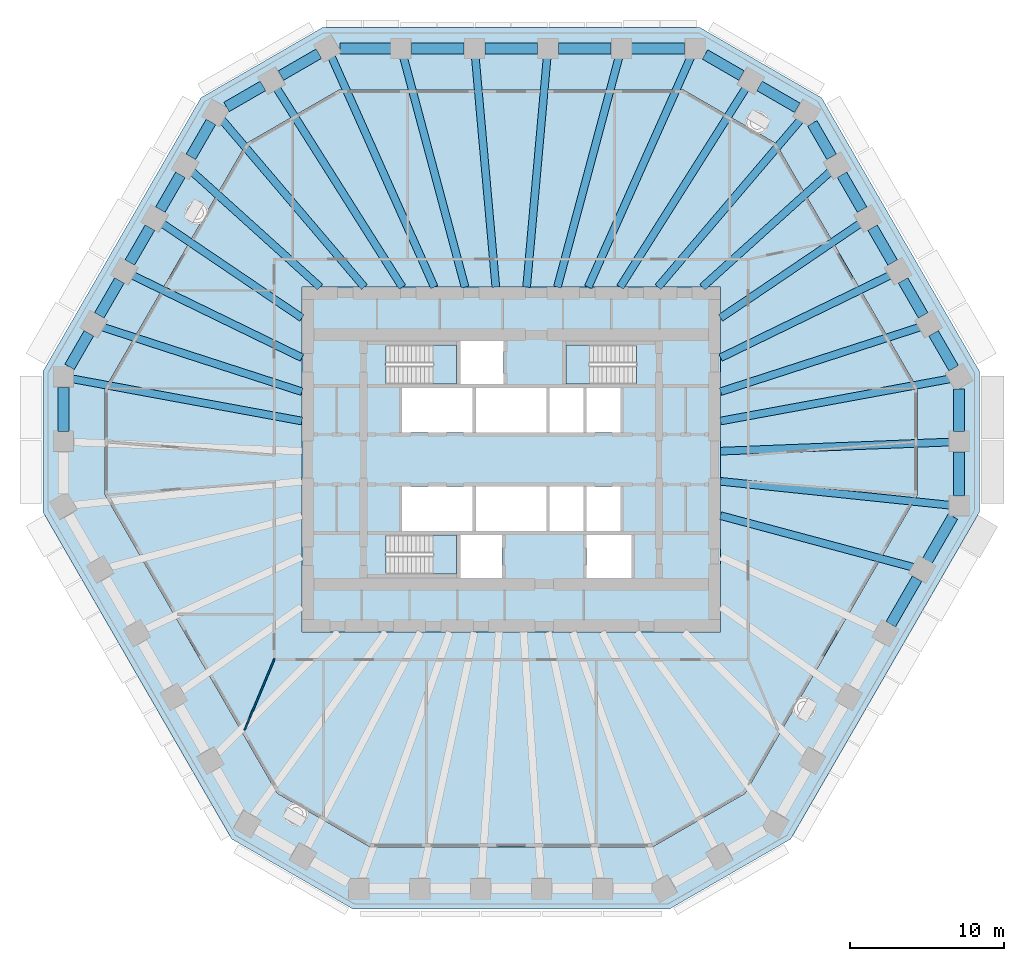
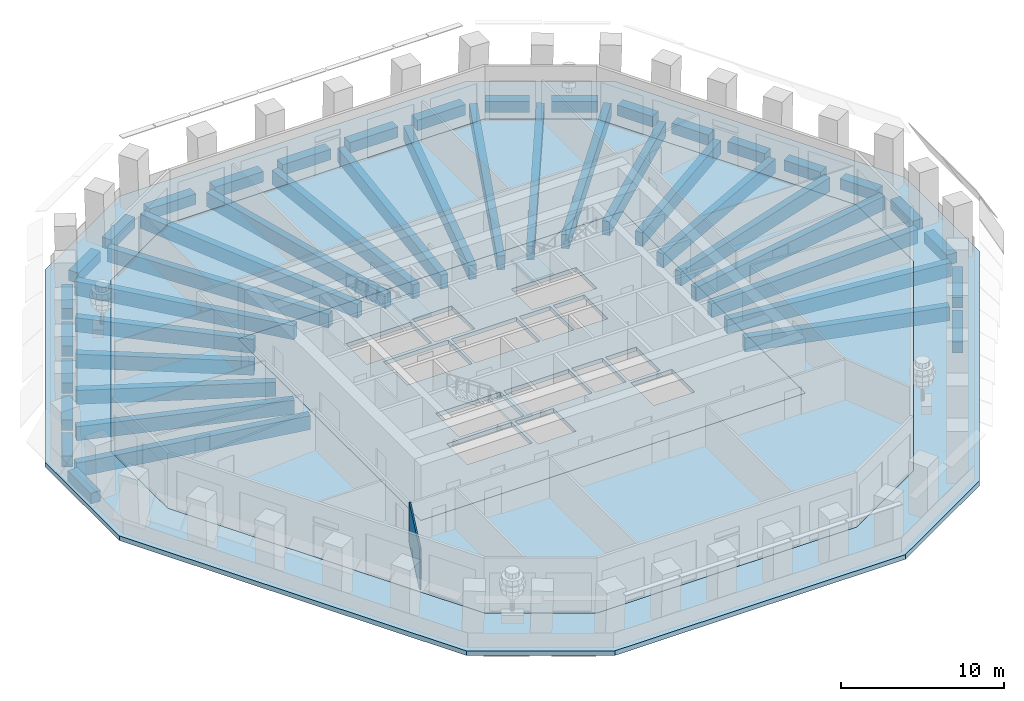
# One storey, part 2 of 13: 47 beams, 6 slabs, 1 wall, 3 elements without a shape of their own.
"""IFC4 building model written with IfcOpenShell, lengths in metres."""

from ifc_helpers import new_model, si_unit, direction, frame, frame_2d, origin, origin_2d, place, context, subcontext, project, spatial, polyline, rectangle, outline, extrude, material, layer, layer_set, material_profile, profile_set, type_object, element, aggregate, save


model = new_model("IFC4")

# Units and contexts
model_context = context("Model", 3, precision=1e-05, world=origin(), true_north=direction((0.0, 1.0)))
body_context = subcontext(model_context, "Body", "Model", "MODEL_VIEW")
ifc_project = project(units=[si_unit("LENGTHUNIT", "METRE"), si_unit("AREAUNIT", "SQUARE_METRE"), si_unit("VOLUMEUNIT", "CUBIC_METRE"), si_unit("PLANEANGLEUNIT", "RADIAN"), si_unit("MASSUNIT", "GRAM", prefix="KILO")], contexts=[model_context])

# Site, building, storey
site_placement = place(None, origin())
site = spatial("IfcSite", under=ifc_project, at=site_placement, CompositionType="ELEMENT")
building_placement = place(site_placement, origin())
building = spatial("IfcBuilding", under=site, at=building_placement, Name="Frailejon Research Tower", CompositionType="ELEMENT")
storey_placement = place(building_placement, frame((0.0, 0.0, 117.60009765625)))
storey = spatial("IfcBuildingStorey", under=building, at=storey_placement, Name="L25", CompositionType="ELEMENT", Elevation=117.60009765625)

# Beams
ifc_material_1 = material(Name="Concrete C60/75", Category="concrete")
ifc_material_profile_1 = material_profile(ifc_material_1, rectangle(XDim=0.5, YDim=1.050048828125, at=origin_2d()), Name="Girder 500x1050")
ifc_profile_set_1 = profile_set([ifc_material_profile_1], Name="Concrete C60/75")
beam_type_1 = type_object("IfcBeamType", Name="Girder 500x1050", PredefinedType="BEAM", material=ifc_profile_set_1)
beam_1_placement = place(storey_placement, frame((28.5546875, -2.976318359375, -0.8251953125), z_axis=(-0.994611085943, 0.103676360462, 0.0), x_axis=(-0.103676360462, -0.994611085943, 0.0)))
element("IfcBeam", 1, at=beam_1_placement, inside=storey, type_object=beam_type_1, Name="Girder 500x1050", PredefinedType="BEAM", context=body_context, shape_type="SweptSolid", body=[
    extrude(rectangle(XDim=0.5, YDim=1.050048828125, at=origin_2d()), origin(), (0.0, 0.0, 1.0), 15.03564453125),
])
beam_2_placement = place(storey_placement, frame((28.555419921875, 1.135498046875, -0.8251953125), z_axis=(-0.99921088157, -0.039719191221, 0.0), x_axis=(0.039719191221, -0.99921088157, 0.0)))
element("IfcBeam", 2, at=beam_2_placement, inside=storey, type_object=beam_type_1, Name="Girder 500x1050", PredefinedType="BEAM", context=body_context, shape_type="SweptSolid", body=[
    extrude(rectangle(XDim=0.5, YDim=1.050048828125, at=origin_2d()), origin(), (0.0, 0.0, 1.0), 14.967041015625),
])
beam_3_placement = place(storey_placement, frame((28.5234375, 5.24169921875, -0.8251953125), z_axis=(-0.983530650526, -0.180741416048, 0.0), x_axis=(0.180741416048, -0.983530650526, 0.0)))
element("IfcBeam", 3, at=beam_3_placement, inside=storey, type_object=beam_type_1, Name="Girder 500x1050", PredefinedType="BEAM", context=body_context, shape_type="SweptSolid", body=[
    extrude(rectangle(XDim=0.5, YDim=1.050048828125, at=origin_2d()), origin(), (0.0, 0.0, 1.0), 15.17333984375),
])
beam_4_placement = place(storey_placement, frame((26.584228515625, 8.611083984375, -0.8251953125), z_axis=(-0.951341072697, -0.308139843903, 0.0), x_axis=(0.308139843903, -0.951341072697, 0.0)))
element("IfcBeam", 4, at=beam_4_placement, inside=storey, type_object=beam_type_1, Name="Girder 500x1050", PredefinedType="BEAM", context=body_context, shape_type="SweptSolid", body=[
    extrude(rectangle(XDim=0.5, YDim=1.050048828125, at=origin_2d()), origin(), (0.0, 0.0, 1.0), 13.648193359375),
])
beam_5_placement = place(storey_placement, frame((24.641845703125, 11.981201171875, -0.8251953125), z_axis=(-0.899323652784, -0.437283623685, 0.0), x_axis=(0.437283623685, -0.899323652784, 0.0)))
element("IfcBeam", 5, at=beam_5_placement, inside=storey, type_object=beam_type_1, Name="Girder 500x1050", PredefinedType="BEAM", context=body_context, shape_type="SweptSolid", body=[
    extrude(rectangle(XDim=0.5, YDim=1.050048828125, at=origin_2d()), origin(), (0.0, 0.0, 1.0), 12.27783203125),
])
beam_6_placement = place(storey_placement, frame((22.697021484375, 15.35009765625, -0.8251953125), z_axis=(-0.828345008124, -0.560218303446, 0.0), x_axis=(0.560218303446, -0.828345008124, 0.0)))
element("IfcBeam", 6, at=beam_6_placement, inside=storey, type_object=beam_type_1, Name="Girder 500x1050", PredefinedType="BEAM", context=body_context, shape_type="SweptSolid", body=[
    extrude(rectangle(XDim=0.5, YDim=1.050048828125, at=origin_2d()), origin(), (0.0, 0.0, 1.0), 10.98193359375),
])
beam_7_placement = place(storey_placement, frame((20.749755859375, 18.717041015625, -0.8251953125), z_axis=(-0.742542993103, -0.66979840504, 0.0), x_axis=(0.66979840504, -0.742542993103, 0.0)))
element("IfcBeam", 7, at=beam_7_placement, inside=storey, type_object=beam_type_1, Name="Girder 500x1050", PredefinedType="BEAM", context=body_context, shape_type="SweptSolid", body=[
    extrude(rectangle(XDim=0.5, YDim=1.050048828125, at=origin_2d()), origin(), (0.0, 0.0, 1.0), 11.222900390625),
])
beam_8_placement = place(storey_placement, frame((18.820556640625, 22.10400390625, -0.8251953125), z_axis=(-0.648286055378, -0.76139686787, 0.0), x_axis=(0.76139686787, -0.648286055378, 0.0)))
element("IfcBeam", 8, at=beam_8_placement, inside=storey, type_object=beam_type_1, Name="Girder 500x1050", PredefinedType="BEAM", context=body_context, shape_type="SweptSolid", body=[
    extrude(rectangle(XDim=0.5, YDim=1.050048828125, at=origin_2d()), origin(), (0.0, 0.0, 1.0), 14.321044921875),
])
beam_9_placement = place(storey_placement, frame((15.26123046875, 24.161865234375, -0.8251953125), z_axis=(-0.534018155296, -0.845473009512, 0.0), x_axis=(0.845473009512, -0.534018155296, 0.0)))
element("IfcBeam", 9, at=beam_9_placement, inside=storey, type_object=beam_type_1, Name="Girder 500x1050", PredefinedType="BEAM", context=body_context, shape_type="SweptSolid", body=[
    extrude(rectangle(XDim=0.5, YDim=1.050048828125, at=origin_2d()), origin(), (0.0, 0.0, 1.0), 15.3310546875),
])
beam_10_placement = place(storey_placement, frame((11.67529296875, 26.162109375, -0.8251953125), z_axis=(-0.407521931135, -0.913195420293, 0.0), x_axis=(0.913195420293, -0.407521931135, 0.0)))
element("IfcBeam", 10, at=beam_10_placement, inside=storey, type_object=beam_type_1, Name="Girder 500x1050", PredefinedType="BEAM", context=body_context, shape_type="SweptSolid", body=[
    extrude(rectangle(XDim=0.5, YDim=1.050048828125, at=origin_2d()), origin(), (0.0, 0.0, 1.0), 16.38427734375),
])
beam_11_placement = place(storey_placement, frame((7.00732421875, 26.169921875, -0.8251953125), z_axis=(-0.258659701791, -0.965968508115, 0.0), x_axis=(0.965968508115, -0.258659701791, 0.0)))
element("IfcBeam", 11, at=beam_11_placement, inside=storey, type_object=beam_type_1, Name="Girder 500x1050", PredefinedType="BEAM", context=body_context, shape_type="SweptSolid", body=[
    extrude(rectangle(XDim=0.5, YDim=1.050048828125, at=origin_2d()), origin(), (0.0, 0.0, 1.0), 15.497314453125),
])
for number, where, z_axis, x_axis, name in (
    (12, (2.336181640625, 26.17431640625, -0.8251953125), (-0.088894249858, -0.996041069606, 0.0), (0.996041069606, -0.088894249858, 0.0), "Girder 500x1050"),
    (13, (-2.336181640625, 26.17431640625, -0.8251953125), (0.088894249858, -0.996041069606, 0.0), (0.996041069606, 0.088894249858, 0.0), "Girder 500x1050"),
):
    element("IfcBeam", number, at=place(storey_placement, frame(where, z_axis=z_axis, x_axis=x_axis)), inside=storey, type_object=beam_type_1, Name=name, PredefinedType="BEAM", context=body_context, shape_type="SweptSolid", body=[
        extrude(rectangle(XDim=0.5, YDim=1.050048828125, at=origin_2d()), origin(), (0.0, 0.0, 1.0), 15.033935546875),
    ])
beam_12_placement = place(storey_placement, frame((-7.00732421875, 26.169921875, -0.8251953125), z_axis=(0.258659701791, -0.965968508115, 0.0), x_axis=(0.965968508115, 0.258659701791, 0.0)))
element("IfcBeam", 14, at=beam_12_placement, inside=storey, type_object=beam_type_1, Name="Girder 500x1050", PredefinedType="BEAM", context=body_context, shape_type="SweptSolid", body=[
    extrude(rectangle(XDim=0.5, YDim=1.050048828125, at=origin_2d()), origin(), (0.0, 0.0, 1.0), 15.497314453125),
])
beam_13_placement = place(storey_placement, frame((-11.699951171875, 26.21728515625, -0.8251953125), z_axis=(0.40752373129, -0.913194616955, 0.0), x_axis=(0.913194616955, 0.40752373129, 0.0)))
element("IfcBeam", 15, at=beam_13_placement, inside=storey, type_object=beam_type_1, Name="Girder 500x1050", PredefinedType="BEAM", context=body_context, shape_type="SweptSolid", body=[
    extrude(rectangle(XDim=0.5, YDim=1.050048828125, at=origin_2d()), origin(), (0.0, 0.0, 1.0), 16.44482421875),
])
beam_14_placement = place(storey_placement, frame((-15.26123046875, 24.161865234375, -0.8251953125), z_axis=(0.534018155296, -0.845473009512, 0.0), x_axis=(0.845473009512, 0.534018155296, 0.0)))
element("IfcBeam", 16, at=beam_14_placement, inside=storey, type_object=beam_type_1, Name="Girder 500x1050", PredefinedType="BEAM", context=body_context, shape_type="SweptSolid", body=[
    extrude(rectangle(XDim=0.5, YDim=1.050048828125, at=origin_2d()), origin(), (0.0, 0.0, 1.0), 15.3310546875),
])
beam_15_placement = place(storey_placement, frame((-18.801025390625, 22.0810546875, -0.8251953125), z_axis=(0.648286408395, -0.761396567296, 0.0), x_axis=(0.761396567296, 0.648286408395, 0.0)))
element("IfcBeam", 17, at=beam_15_placement, inside=storey, type_object=beam_type_1, Name="Girder 500x1050", PredefinedType="BEAM", context=body_context, shape_type="SweptSolid", body=[
    extrude(rectangle(XDim=0.5, YDim=1.050048828125, at=origin_2d()), origin(), (0.0, 0.0, 1.0), 14.291015625),
])
beam_16_placement = place(storey_placement, frame((-20.749755859375, 18.717041015625, -0.8251953125), z_axis=(0.742542993103, -0.66979840504, 0.0), x_axis=(0.66979840504, 0.742542993103, 0.0)))
element("IfcBeam", 18, at=beam_16_placement, inside=storey, type_object=beam_type_1, Name="Girder 500x1050", PredefinedType="BEAM", context=body_context, shape_type="SweptSolid", body=[
    extrude(rectangle(XDim=0.5, YDim=1.050048828125, at=origin_2d()), origin(), (0.0, 0.0, 1.0), 11.222900390625),
])
beam_17_placement = place(storey_placement, frame((-22.697021484375, 15.35009765625, -0.8251953125), z_axis=(0.828345008124, -0.560218303446, 0.0), x_axis=(0.560218303446, 0.828345008124, 0.0)))
element("IfcBeam", 19, at=beam_17_placement, inside=storey, type_object=beam_type_1, Name="Girder 500x1050", PredefinedType="BEAM", context=body_context, shape_type="SweptSolid", body=[
    extrude(rectangle(XDim=0.5, YDim=1.050048828125, at=origin_2d()), origin(), (0.0, 0.0, 1.0), 10.98193359375),
])
beam_18_placement = place(storey_placement, frame((-24.641845703125, 11.981201171875, -0.8251953125), z_axis=(0.899323652784, -0.437283623685, 0.0), x_axis=(0.437283623685, 0.899323652784, 0.0)))
element("IfcBeam", 20, at=beam_18_placement, inside=storey, type_object=beam_type_1, Name="Girder 500x1050", PredefinedType="BEAM", context=body_context, shape_type="SweptSolid", body=[
    extrude(rectangle(XDim=0.5, YDim=1.050048828125, at=origin_2d()), origin(), (0.0, 0.0, 1.0), 12.27783203125),
])
beam_19_placement = place(storey_placement, frame((-26.584228515625, 8.611083984375, -0.8251953125), z_axis=(0.951341072697, -0.308139843903, 0.0), x_axis=(0.308139843903, 0.951341072697, 0.0)))
element("IfcBeam", 21, at=beam_19_placement, inside=storey, type_object=beam_type_1, Name="Girder 500x1050", PredefinedType="BEAM", context=body_context, shape_type="SweptSolid", body=[
    extrude(rectangle(XDim=0.5, YDim=1.050048828125, at=origin_2d()), origin(), (0.0, 0.0, 1.0), 13.648193359375),
])
beam_20_placement = place(storey_placement, frame((-28.552978515625, 5.247314453125, -0.8251953125), z_axis=(0.983528469307, -0.180753285067, 0.0), x_axis=(0.180753285067, 0.983528469307, 0.0)))
element("IfcBeam", 22, at=beam_20_placement, inside=storey, type_object=beam_type_1, Name="Girder 500x1050", PredefinedType="BEAM", context=body_context, shape_type="SweptSolid", body=[
    extrude(rectangle(XDim=0.5, YDim=1.050048828125, at=origin_2d()), origin(), (0.0, 0.0, 1.0), 15.203369140625),
])
beam_21_placement = place(storey_placement, frame((26.16748046875, -7.0166015625, -0.8251953125), z_axis=(-0.965878678888, 0.258994937538, 0.0), x_axis=(-0.258994937538, -0.965878678888, 0.0)))
element("IfcBeam", 23, at=beam_21_placement, inside=storey, type_object=beam_type_1, Name="Girder 500x1050", PredefinedType="BEAM", context=body_context, shape_type="SweptSolid", body=[
    extrude(rectangle(XDim=0.5, YDim=1.050048828125, at=origin_2d()), origin(), (0.0, 0.0, 1.0), 13.01123046875),
])
ifc_material_2 = material(Name="Concrete C60/75", Category="concrete")
ifc_material_profile_2 = material_profile(ifc_material_2, rectangle(XDim=0.699951171875, YDim=0.800048828125, at=origin_2d()), Name="Spandrel 700x800")
ifc_profile_set_2 = profile_set([ifc_material_profile_2], Name="Concrete C60/75")
beam_type_2 = type_object("IfcBeamType", Name="Spandrel 700x800", PredefinedType="BEAM", material=ifc_profile_set_2)
beam_22_placement = place(storey_placement, frame((29.08056640625, -2.356201171875, -0.75), z_axis=(0.0, 1.0, 0.0), x_axis=(-1.0, 0.0, 0.0)))
element("IfcBeam", 24, at=beam_22_placement, inside=storey, type_object=beam_type_2, Name="Spandrel 700x800", PredefinedType="BEAM", context=body_context, shape_type="SweptSolid", body=[
    extrude(rectangle(XDim=0.699951171875, YDim=0.800048828125, at=origin_2d()), origin(), (0.0, 0.0, 1.0), 2.837646484375),
])
beam_23_placement = place(storey_placement, frame((29.08056640625, 1.83154296875, -0.75), z_axis=(0.0, 1.0, 0.0), x_axis=(-1.0, 0.0, 0.0)))
element("IfcBeam", 25, at=beam_23_placement, inside=storey, type_object=beam_type_2, Name="Spandrel 700x800", PredefinedType="BEAM", context=body_context, shape_type="SweptSolid", body=[
    extrude(rectangle(XDim=0.699951171875, YDim=0.800048828125, at=origin_2d()), origin(), (0.0, 0.0, 1.0), 2.733154296875),
])
for number, where, z_axis, x_axis, name in (
    (26, (28.742919921875, 5.9287109375, -0.75), (-0.500005339912, 0.866022320763, 0.0), (-0.866022320763, -0.500005339912, 0.0), "Spandrel 700x800"),
    (27, (26.760498046875, 9.3623046875, -0.75), (-0.500005339912, 0.866022320763, 0.0), (-0.866022320763, -0.500005339912, 0.0), "Spandrel 700x800"),
):
    element("IfcBeam", number, at=place(storey_placement, frame(where, z_axis=z_axis, x_axis=x_axis)), inside=storey, type_object=beam_type_2, Name=name, PredefinedType="BEAM", context=body_context, shape_type="SweptSolid", body=[
        extrude(rectangle(XDim=0.699951171875, YDim=0.800048828125, at=origin_2d()), origin(), (0.0, 0.0, 1.0), 2.61474609375),
    ])
beam_24_placement = place(storey_placement, frame((24.778076171875, 12.7958984375, -0.75), z_axis=(-0.499964911226, 0.86604566135, 0.0), x_axis=(-0.86604566135, -0.499964911226, 0.0)))
element("IfcBeam", 28, at=beam_24_placement, inside=storey, type_object=beam_type_2, Name="Spandrel 700x800", PredefinedType="BEAM", context=body_context, shape_type="SweptSolid", body=[
    extrude(rectangle(XDim=0.699951171875, YDim=0.800048828125, at=origin_2d()), origin(), (0.0, 0.0, 1.0), 2.614990234375),
])
beam_25_placement = place(storey_placement, frame((22.795654296875, 16.229736328125, -0.75), z_axis=(-0.500005339912, 0.866022320763, 0.0), x_axis=(-0.866022320763, -0.500005339912, 0.0)))
element("IfcBeam", 29, at=beam_25_placement, inside=storey, type_object=beam_type_2, Name="Spandrel 700x800", PredefinedType="BEAM", context=body_context, shape_type="SweptSolid", body=[
    extrude(rectangle(XDim=0.699951171875, YDim=0.800048828125, at=origin_2d()), origin(), (0.0, 0.0, 1.0), 2.61474609375),
])
beam_26_placement = place(storey_placement, frame((20.813232421875, 19.663330078125, -0.75), z_axis=(-0.499977815414, 0.866038211682, 0.0), x_axis=(-0.866038211682, -0.499977815414, 0.0)))
element("IfcBeam", 30, at=beam_26_placement, inside=storey, type_object=beam_type_2, Name="Spandrel 700x800", PredefinedType="BEAM", context=body_context, shape_type="SweptSolid", body=[
    extrude(rectangle(XDim=0.699951171875, YDim=0.800048828125, at=origin_2d()), origin(), (0.0, 0.0, 1.0), 2.51025390625),
])
beam_27_placement = place(storey_placement, frame((18.583740234375, 22.849853515625, -0.75), z_axis=(-0.865989280058, 0.500062562911, 0.0), x_axis=(-0.500062562911, -0.865989280058, 0.0)))
element("IfcBeam", 31, at=beam_27_placement, inside=storey, type_object=beam_type_2, Name="Spandrel 700x800", PredefinedType="BEAM", context=body_context, shape_type="SweptSolid", body=[
    extrude(rectangle(XDim=0.699951171875, YDim=0.800048828125, at=origin_2d()), origin(), (0.0, 0.0, 1.0), 2.837646484375),
])
beam_28_placement = place(storey_placement, frame((14.957275390625, 24.943603515625, -0.75), z_axis=(-0.866002615699, 0.500039468044, 0.0), x_axis=(-0.500039468044, -0.866002615699, 0.0)))
element("IfcBeam", 32, at=beam_28_placement, inside=storey, type_object=beam_type_2, Name="Spandrel 700x800", PredefinedType="BEAM", context=body_context, shape_type="SweptSolid", body=[
    extrude(rectangle(XDim=0.699951171875, YDim=0.800048828125, at=origin_2d()), origin(), (0.0, 0.0, 1.0), 2.733154296875),
])
for number, where, z_axis, x_axis, name in (
    (33, (11.240234375, 26.699951171875, -0.75), (-1.0, 0.0, 0.0), (0.0, -1.0, 0.0), "Spandrel 700x800"),
    (34, (6.47412109375, 26.699951171875, -0.75), (-1.0, 0.0, 0.0), (0.0, -1.0, 0.0), "Spandrel 700x800"),
    (35, (1.7080078125, 26.699951171875, -0.75), (-1.0, 0.0, 0.0), (0.0, -1.0, 0.0), "Spandrel 700x800"),
    (36, (-3.05810546875, 26.699951171875, -0.75), (-1.0, 0.0, 0.0), (0.0, -1.0, 0.0), "Spandrel 700x800"),
):
    element("IfcBeam", number, at=place(storey_placement, frame(where, z_axis=z_axis, x_axis=x_axis)), inside=storey, type_object=beam_type_2, Name=name, PredefinedType="BEAM", context=body_context, shape_type="SweptSolid", body=[
        extrude(rectangle(XDim=0.699951171875, YDim=0.800048828125, at=origin_2d()), origin(), (0.0, 0.0, 1.0), 3.416015625),
    ])
beam_29_placement = place(storey_placement, frame((-7.82421875, 26.699951171875, -0.75), z_axis=(-1.0, 0.0, 0.0), x_axis=(0.0, -1.0, 0.0)))
element("IfcBeam", 37, at=beam_29_placement, inside=storey, type_object=beam_type_2, Name="Spandrel 700x800", PredefinedType="BEAM", context=body_context, shape_type="SweptSolid", body=[
    extrude(rectangle(XDim=0.699951171875, YDim=0.800048828125, at=origin_2d()), origin(), (0.0, 0.0, 1.0), 3.311767578125),
])
beam_30_placement = place(storey_placement, frame((-12.5, 26.362548828125, -0.75), z_axis=(-0.865989280058, -0.500062562911, 0.0), x_axis=(0.500062562911, -0.865989280058, 0.0)))
element("IfcBeam", 38, at=beam_30_placement, inside=storey, type_object=beam_type_2, Name="Spandrel 700x800", PredefinedType="BEAM", context=body_context, shape_type="SweptSolid", body=[
    extrude(rectangle(XDim=0.699951171875, YDim=0.800048828125, at=origin_2d()), origin(), (0.0, 0.0, 1.0), 2.837646484375),
])
beam_31_placement = place(storey_placement, frame((-16.12646484375, 24.268798828125, -0.75), z_axis=(-0.866002615699, -0.500039468044, 0.0), x_axis=(0.500039468044, -0.866002615699, 0.0)))
element("IfcBeam", 39, at=beam_31_placement, inside=storey, type_object=beam_type_2, Name="Spandrel 700x800", PredefinedType="BEAM", context=body_context, shape_type="SweptSolid", body=[
    extrude(rectangle(XDim=0.699951171875, YDim=0.800048828125, at=origin_2d()), origin(), (0.0, 0.0, 1.0), 2.733154296875),
])
for number, where, z_axis, x_axis, name in (
    (40, (-19.505859375, 21.927734375, -0.75), (-0.500005339912, -0.866022320763, 0.0), (0.866022320763, -0.500005339912, 0.0), "Spandrel 700x800"),
    (41, (-21.48828125, 18.494140625, -0.75), (-0.500005339912, -0.866022320763, 0.0), (0.866022320763, -0.500005339912, 0.0), "Spandrel 700x800"),
):
    element("IfcBeam", number, at=place(storey_placement, frame(where, z_axis=z_axis, x_axis=x_axis)), inside=storey, type_object=beam_type_2, Name=name, PredefinedType="BEAM", context=body_context, shape_type="SweptSolid", body=[
        extrude(rectangle(XDim=0.699951171875, YDim=0.800048828125, at=origin_2d()), origin(), (0.0, 0.0, 1.0), 2.61474609375),
    ])
beam_32_placement = place(storey_placement, frame((-23.470703125, 15.060546875, -0.75), z_axis=(-0.499964911226, -0.86604566135, 0.0), x_axis=(0.86604566135, -0.499964911226, 0.0)))
element("IfcBeam", 42, at=beam_32_placement, inside=storey, type_object=beam_type_2, Name="Spandrel 700x800", PredefinedType="BEAM", context=body_context, shape_type="SweptSolid", body=[
    extrude(rectangle(XDim=0.699951171875, YDim=0.800048828125, at=origin_2d()), origin(), (0.0, 0.0, 1.0), 2.614990234375),
])
beam_33_placement = place(storey_placement, frame((-25.453125, 11.626708984375, -0.75), z_axis=(-0.500005339912, -0.866022320763, 0.0), x_axis=(0.866022320763, -0.500005339912, 0.0)))
element("IfcBeam", 43, at=beam_33_placement, inside=storey, type_object=beam_type_2, Name="Spandrel 700x800", PredefinedType="BEAM", context=body_context, shape_type="SweptSolid", body=[
    extrude(rectangle(XDim=0.699951171875, YDim=0.800048828125, at=origin_2d()), origin(), (0.0, 0.0, 1.0), 2.61474609375),
])
beam_34_placement = place(storey_placement, frame((-27.435546875, 8.193115234375, -0.75), z_axis=(-0.500050752022, -0.865996100108, 0.0), x_axis=(0.865996100108, -0.500050752022, 0.0)))
element("IfcBeam", 44, at=beam_34_placement, inside=storey, type_object=beam_type_2, Name="Spandrel 700x800", PredefinedType="BEAM", context=body_context, shape_type="SweptSolid", body=[
    extrude(rectangle(XDim=0.699951171875, YDim=0.800048828125, at=origin_2d()), origin(), (0.0, 0.0, 1.0), 2.510498046875),
])
beam_35_placement = place(storey_placement, frame((-29.08056640625, 4.669189453125, -0.75), z_axis=(0.0, -1.0, 0.0), x_axis=(1.0, 0.0, 0.0)))
element("IfcBeam", 45, at=beam_35_placement, inside=storey, type_object=beam_type_2, Name="Spandrel 700x800", PredefinedType="BEAM", context=body_context, shape_type="SweptSolid", body=[
    extrude(rectangle(XDim=0.699951171875, YDim=0.800048828125, at=origin_2d()), origin(), (0.0, 0.0, 1.0), 2.837646484375),
])
beam_36_placement = place(storey_placement, frame((24.65185546875, -10.70166015625, -0.75), z_axis=(0.50003588027, 0.86600468731, 0.0), x_axis=(-0.86600468731, 0.50003588027, 0.0)))
element("IfcBeam", 46, at=beam_36_placement, inside=storey, type_object=beam_type_2, Name="Spandrel 700x800", PredefinedType="BEAM", context=body_context, shape_type="SweptSolid", body=[
    extrude(rectangle(XDim=0.699951171875, YDim=0.800048828125, at=origin_2d()), origin(), (0.0, 0.0, 1.0), 3.416259765625),
])
beam_37_placement = place(storey_placement, frame((27.034912109375, -6.573974609375, -0.75), z_axis=(0.500047902311, 0.865997745606, 0.0), x_axis=(-0.865997745606, 0.500047902311, 0.0)))
element("IfcBeam", 47, at=beam_37_placement, inside=storey, type_object=beam_type_2, Name="Spandrel 700x800", PredefinedType="BEAM", context=body_context, shape_type="SweptSolid", body=[
    extrude(rectangle(XDim=0.699951171875, YDim=0.800048828125, at=origin_2d()), origin(), (0.0, 0.0, 1.0), 3.311767578125),
])

# Slabs
ifc_material_3 = material(Name="Concrete C70/85", Category="concrete")
ifc_layer_1 = layer(ifc_material_3, 0.300048828125)
ifc_layer_set_1 = layer_set([ifc_layer_1], Name="Core floor slab 300 C70/85")
slab_type_1 = type_object("IfcSlabType", Name="Core floor slab 300 C70/85", PredefinedType="FLOOR", material=ifc_layer_set_1)
slab_1_placement = place(storey_placement, frame((0.0, 0.0, -0.300048828125)))
element("IfcSlab", 48, at=slab_1_placement, inside=storey, type_object=slab_type_1, Name="Core floor slab", PredefinedType="FLOOR", context=body_context, shape_type="SweptSolid", body=[
    extrude(outline(polyline([(13.60009765625, -11.199951171875), (13.60009765625, 11.199951171875), (-13.60009765625, 11.199951171875), (-13.60009765625, -11.199951171875), (13.60009765625, -11.199951171875)]), holes=[polyline([(-2.5, 1.75), (-2.5, 4.64990234375), (-7.10009765625, 4.64990234375), (-7.10009765625, 1.75), (-2.5, 1.75)]), polyline([(2.300048828125, 1.75), (2.300048828125, 4.64990234375), (-2.300048828125, 4.64990234375), (-2.300048828125, 1.75), (2.300048828125, 1.75)]), polyline([(4.699951171875, 1.75), (4.699951171875, 4.64990234375), (2.5, 4.64990234375), (2.5, 1.75), (4.699951171875, 1.75)]), polyline([(7.10009765625, 1.75), (7.10009765625, 4.64990234375), (4.89990234375, 4.64990234375), (4.89990234375, 1.75), (7.10009765625, 1.75)]), polyline([(-2.5, -4.64990234375), (-2.5, -1.75), (-7.10009765625, -1.75), (-7.10009765625, -4.64990234375), (-2.5, -4.64990234375)]), polyline([(2.300048828125, -4.64990234375), (2.300048828125, -1.75), (-2.300048828125, -1.75), (-2.300048828125, -4.64990234375), (2.300048828125, -4.64990234375)]), polyline([(4.699951171875, -4.64990234375), (4.699951171875, -1.75), (2.5, -1.75), (2.5, -4.64990234375), (4.699951171875, -4.64990234375)]), polyline([(7.10009765625, -4.64990234375), (7.10009765625, -1.75), (4.89990234375, -1.75), (4.89990234375, -4.64990234375), (7.10009765625, -4.64990234375)]), polyline([(-8.14697265625, 4.89990234375), (-3.550048828125, 4.89990234375), (-3.550048828125, 7.449951171875), (-8.14697265625, 7.449951171875), (-8.14697265625, 4.89990234375)]), polyline([(-8.14697265625, -7.449951171875), (-3.550048828125, -7.449951171875), (-3.550048828125, -4.89990234375), (-8.14697265625, -4.89990234375), (-8.14697265625, -7.449951171875)]), polyline([(8.14697265625, 7.449951171875), (3.550048828125, 7.449951171875), (3.550048828125, 4.89990234375), (8.14697265625, 4.89990234375), (8.14697265625, 7.449951171875)]), polyline([(-0.60009765625, -7.699951171875), (-0.60009765625, -4.89990234375), (-3.300048828125, -4.89990234375), (-3.300048828125, -7.699951171875), (-0.60009765625, -7.699951171875)]), polyline([(7.800048828125, -7.699951171875), (7.800048828125, -4.89990234375), (4.89990234375, -4.89990234375), (4.89990234375, -7.699951171875), (7.800048828125, -7.699951171875)]), polyline([(-0.5, 4.89990234375), (-0.5, 7.699951171875), (-3.300048828125, 7.699951171875), (-3.300048828125, 4.89990234375), (-0.5, 4.89990234375)])]), origin(), (0.0, 0.0, 1.0), 0.300048828125),
])
ifc_material_4 = material(Name="Concrete C40/50", Category="concrete")
ifc_layer_2 = layer(ifc_material_4, 0.35009765625)
ifc_layer_set_2 = layer_set([ifc_layer_2], Name="Loggia slab 350")
slab_type_2 = type_object("IfcSlabType", Name="Loggia slab 350", PredefinedType="USERDEFINED", material=ifc_layer_set_2)
slab_2_placement = place(storey_placement, frame((0.0, 0.0, -0.35009765625)))
element("IfcSlab", 49, at=slab_2_placement, inside=storey, type_object=slab_type_2, Name="Loggia slab L25", ObjectType="LOGGIA", PredefinedType="USERDEFINED", context=body_context, shape_type="SweptSolid", body=[
    extrude(outline(polyline([(18.153564453125, -24.6572265625), (10.27392578125, -29.20654296875), (-10.27392578125, -29.20654296875), (-18.153564453125, -24.6572265625), (-30.430419921875, -3.392822265625), (-30.430419921875, 5.705810546875), (-20.156494140625, 23.500732421875), (-12.277099609375, 28.050048828125), (12.277099609375, 28.050048828125), (20.156494140625, 23.500732421875), (30.430419921875, 5.705810546875), (30.430419921875, -3.392822265625), (18.153564453125, -24.6572265625)]), holes=[polyline([(26.380615234375, 4.62060546875), (17.19189453125, 20.535888671875), (11.19189453125, 24.0), (-11.19189453125, 24.0), (-17.19189453125, 20.535888671875), (-26.380615234375, 4.62060546875), (-26.380615234375, -2.3076171875), (-15.188720703125, -21.6923828125), (-9.188720703125, -25.156494140625), (9.188720703125, -25.156494140625), (15.188720703125, -21.6923828125), (26.380615234375, -2.3076171875), (26.380615234375, 4.62060546875)])]), origin(), (0.0, 0.0, 1.0), 0.35009765625),
])
ifc_material_5 = material(Name="Concrete C40/50", Category="concrete")
ifc_layer_3 = layer(ifc_material_5, 0.300048828125)
ifc_layer_set_3 = layer_set([ifc_layer_3], Name="Slab typical 300")
slab_type_3 = type_object("IfcSlabType", Name="Slab typical 300", PredefinedType="FLOOR", material=ifc_layer_set_3)
slab_3_placement = place(storey_placement, frame((0.0, 0.0, -0.300048828125)))
element("IfcSlab", 50, at=slab_3_placement, inside=storey, type_object=slab_type_3, Name="Floor slab L25", PredefinedType="FLOOR", context=body_context, shape_type="SweptSolid", body=[
    extrude(outline(polyline([(26.380615234375, -2.3076171875), (26.380615234375, 4.62060546875), (17.19189453125, 20.535888671875), (11.19189453125, 24.0), (-11.19189453125, 24.0), (-17.19189453125, 20.535888671875), (-26.380615234375, 4.62060546875), (-26.380615234375, -2.3076171875), (-15.188720703125, -21.6923828125), (-9.188720703125, -25.156494140625), (9.188720703125, -25.156494140625), (15.188720703125, -21.6923828125), (26.380615234375, -2.3076171875)]), holes=[polyline([(13.60009765625, -11.199951171875), (-13.60009765625, -11.199951171875), (-13.60009765625, 11.199951171875), (13.60009765625, 11.199951171875), (13.60009765625, -11.199951171875)])]), origin(), (0.0, 0.0, 1.0), 0.300048828125),
])

# Stair, slab
ifc_material_6 = material(Name="Concrete C50/60", Category="concrete")
stair_type = type_object("IfcStairType", Name="Exit stair 24 risers", PredefinedType="HALF_TURN_STAIR", material=ifc_material_6)
stair_1_placement = place(storey_placement, origin())
stair_1 = element("IfcStair", 51, at=stair_1_placement, inside=storey, type_object=stair_type, Name="L25 Exit stair ST1", PredefinedType="HALF_TURN_STAIR")
ifc_material_7 = material(Name="Concrete C50/60", Category="concrete")
ifc_layer_4 = layer(ifc_material_7, 0.199951171875)
ifc_layer_set_4 = layer_set([ifc_layer_4], Name="Stair landing slab 200")
slab_type_4 = type_object("IfcSlabType", Name="Stair landing slab 200", PredefinedType="LANDING", material=ifc_layer_set_4)
slab_4_placement = place(storey_placement, frame((0.0, 0.0, 2.0)))
slab_4 = element("IfcSlab", 52, at=slab_4_placement, type_object=slab_type_4, Name="ST1 landing 1", PredefinedType="LANDING", context=body_context, shape_type="SweptSolid", body=[
    extrude(outline(polyline([(-5.070068359375, 4.89990234375), (-3.550048828125, 4.89990234375), (-3.550048828125, 7.449951171875), (-5.070068359375, 7.449951171875), (-5.070068359375, 4.89990234375)])), origin(), (0.0, 0.0, 1.0), 0.199951171875),
])
aggregate(stair_1, [slab_4])

stair_2_placement = place(storey_placement, origin())
stair_2 = element("IfcStair", 53, at=stair_2_placement, inside=storey, type_object=stair_type, Name="L25 Exit stair ST2", PredefinedType="HALF_TURN_STAIR")
slab_5_placement = place(storey_placement, frame((0.0, 0.0, 2.0)))
slab_5 = element("IfcSlab", 54, at=slab_5_placement, type_object=slab_type_4, Name="ST2 landing 1", PredefinedType="LANDING", context=body_context, shape_type="SweptSolid", body=[
    extrude(outline(polyline([(-5.070068359375, -7.449951171875), (-3.550048828125, -7.449951171875), (-3.550048828125, -4.89990234375), (-5.070068359375, -4.89990234375), (-5.070068359375, -7.449951171875)])), origin(), (0.0, 0.0, 1.0), 0.199951171875),
])
aggregate(stair_2, [slab_5])

stair_3_placement = place(storey_placement, origin())
stair_3 = element("IfcStair", 55, at=stair_3_placement, inside=storey, type_object=stair_type, Name="L25 Exit stair ST3", PredefinedType="HALF_TURN_STAIR")
slab_6_placement = place(storey_placement, frame((0.0, 0.0, 2.0)))
slab_6 = element("IfcSlab", 56, at=slab_6_placement, type_object=slab_type_4, Name="ST3 landing 1", PredefinedType="LANDING", context=body_context, shape_type="SweptSolid", body=[
    extrude(outline(polyline([(5.070068359375, 7.449951171875), (3.550048828125, 7.449951171875), (3.550048828125, 4.89990234375), (5.070068359375, 4.89990234375), (5.070068359375, 7.449951171875)])), origin(), (0.0, 0.0, 1.0), 0.199951171875),
])
aggregate(stair_3, [slab_6])

# Wall
ifc_material_8 = material(Name="Gypsum board and masonry partition", Category="masonry")
ifc_layer_5 = layer(ifc_material_8, 0.10009765625)
ifc_layer_set_5 = layer_set([ifc_layer_5], Name="Partition, gypsum on steel studs 100")
wall_type = type_object("IfcWallType", Name="Partition, gypsum on steel studs 100", PredefinedType="PARTITIONING", material=ifc_layer_set_5)
wall_placement = place(storey_placement, frame((-17.32958984375, -17.583984375, 0.0), z_axis=(0.0, 0.0, 1.0), x_axis=(0.387981331709, 0.921667231839, 0.0)))
element("IfcWall", 57, at=wall_placement, inside=storey, type_object=wall_type, Name="T:IW:L25:024", PredefinedType="PARTITIONING", context=body_context, shape_type="SweptSolid", body=[
    extrude(rectangle(XDim=5.048583984375, YDim=0.10009765625, at=frame_2d((2.5244140625, 0.0))), origin(), (0.0, 0.0, 1.0), 3.0498046875),
])

save(model, "model.ifc")
